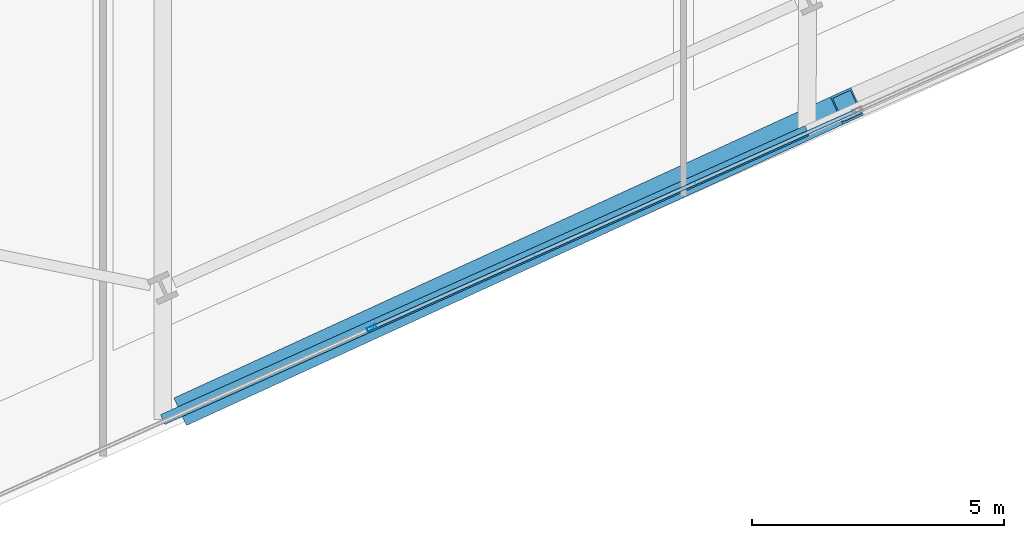
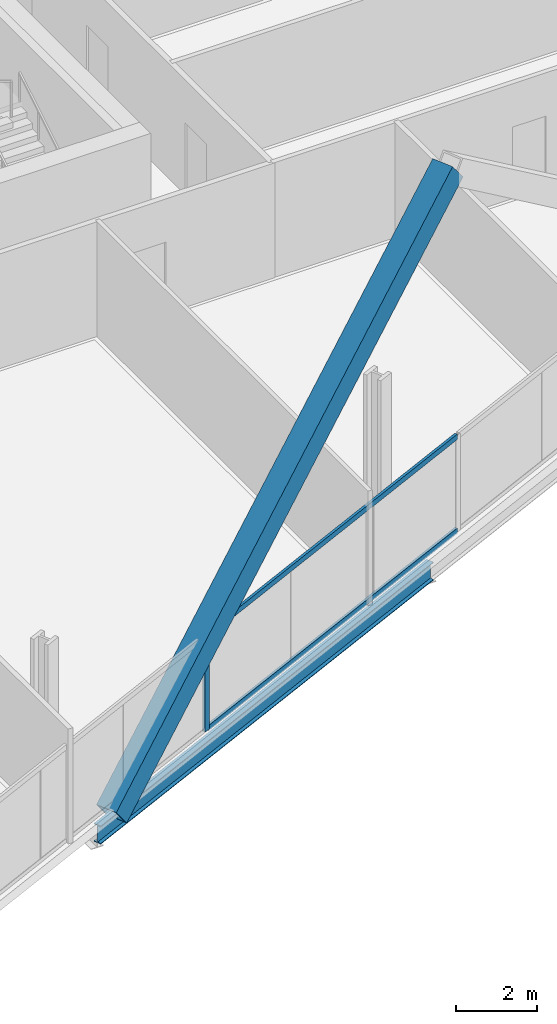
# One storey, part 7 of 38: 4 members, 1 beam, 1 element without a shape of its own.
"""IFC4 building model written with IfcOpenShell, lengths in metres."""

from ifc_helpers import new_model, si_unit, direction, frame, origin, origin_2d, place, context, subcontext, project, spatial, hollow_rectangle, i_section, extrude, material, material_profile, profile_set, type_object, element, aggregate, save


model = new_model("IFC4")

# Units and contexts
model_context = context("Model", 3, precision=1e-05, world=origin(), true_north=direction((0.0, 1.0)))
body_context = subcontext(model_context, "Body", "Model", "MODEL_VIEW")
ifc_project = project(units=[si_unit("LENGTHUNIT", "METRE"), si_unit("AREAUNIT", "SQUARE_METRE"), si_unit("VOLUMEUNIT", "CUBIC_METRE"), si_unit("PLANEANGLEUNIT", "RADIAN"), si_unit("MASSUNIT", "GRAM", prefix="KILO")], contexts=[model_context])

# Site, building, storey
site_placement = place(None, origin())
site = spatial("IfcSite", under=ifc_project, at=site_placement, CompositionType="ELEMENT")
building_placement = place(site_placement, origin())
building = spatial("IfcBuilding", under=site, at=building_placement, Name="Haldenkirk Collegiate Tower", CompositionType="ELEMENT")
storey_placement = place(building_placement, frame((0.0, 0.0, 109.199951171875)))
storey = spatial("IfcBuildingStorey", under=building, at=storey_placement, Name="L26", CompositionType="ELEMENT", Elevation=109.199951171875)

# Beam
ifc_material_1 = material(Name="Steel ASTM A992 Grade 50", Category="steel")
ifc_material_profile_1 = material_profile(ifc_material_1, i_section(OverallWidth=0.2119140625, OverallDepth=0.5439453125, WebThickness=0.01318359375, FlangeThickness=0.021240234375, at=origin_2d()), Name="W21X83")
ifc_profile_set_1 = profile_set([ifc_material_profile_1], Name="Steel ASTM A992 Grade 50")
beam_type = type_object("IfcBeamType", Name="BM-SPANDREL-W21X83", PredefinedType="SPANDREL", material=ifc_profile_set_1)
beam_placement = place(storey_placement, frame((32.181396484375, -2.321044921875, -0.572021484375), z_axis=(0.91247721196, 0.409127532261, 0.0), x_axis=(-0.409127532261, 0.91247721196, 0.0)))
element("IfcBeam", 1, at=beam_placement, inside=storey, type_object=beam_type, Name="L26 outer facade edge beam 1A", PredefinedType="SPANDREL", context=body_context, shape_type="SweptSolid", body=[
    extrude(i_section(OverallWidth=0.2119140625, OverallDepth=0.5439453125, WebThickness=0.01318359375, FlangeThickness=0.021240234375, at=origin_2d()), origin(), (0.0, 0.0, 1.0), 13.99462890625),
])

# Curtain wall, members
ifc_material_2 = material(Name="Anodised architectural bronze aluminium", Category="aluminium")
curtain_wall_type = type_object("IfcCurtainWallType", Name="CW-SYS2-CONCAVE", PredefinedType="USERDEFINED", material=ifc_material_2)
curtain_wall_placement = place(storey_placement, origin())
curtain_wall = element("IfcCurtainWall", 2, at=curtain_wall_placement, inside=storey, type_object=curtain_wall_type, Name="L26 South concave recessed bronze-anodised curtain wall", ObjectType="UNITISED CURTAIN WALL", PredefinedType="USERDEFINED")
ifc_material_profile_2 = material_profile(ifc_material_2, hollow_rectangle(XDim=0.074951171875, YDim=0.18994140625, WallThickness=0.0048828125, at=origin_2d()), Name="CW-MUL-02")
ifc_profile_set_2 = profile_set([ifc_material_profile_2], Name="Anodised architectural bronze aluminium")
member_type_1 = type_object("IfcMemberType", Name="CW-MUL-02", PredefinedType="MULLION", material=ifc_profile_set_2)
member_1_placement = place(storey_placement, frame((36.3232421875, -0.5078125, 0.0), z_axis=(0.0, 0.0, 1.0), x_axis=(0.409127344707, -0.912477296053, 0.0)))
member_1 = element("IfcMember", 3, at=member_1_placement, type_object=member_type_1, Name="CW-02 mullion 4", PredefinedType="MULLION", context=body_context, shape_type="SweptSolid", body=[
    extrude(hollow_rectangle(XDim=0.074951171875, YDim=0.18994140625, WallThickness=0.0048828125, at=origin_2d()), origin(), (0.0, 0.0, 1.0), 2.901123046875),
])
ifc_material_profile_3 = material_profile(ifc_material_2, hollow_rectangle(XDim=0.074951171875, YDim=0.159912109375, WallThickness=0.0048828125, at=origin_2d()), Name="CW-TRN-02")
ifc_profile_set_3 = profile_set([ifc_material_profile_3], Name="Anodised architectural bronze aluminium")
member_type_2 = type_object("IfcMemberType", Name="CW-TRN-02", PredefinedType="USERDEFINED", material=ifc_profile_set_3)
member_2_placement = place(storey_placement, frame((45.915771484375, 3.793212890625, 0.03759765625), z_axis=(-0.912474522038, -0.409133531542, 0.0), x_axis=(0.409133531542, -0.912474522038, 0.0)))
member_2 = element("IfcMember", 4, at=member_2_placement, type_object=member_type_2, Name="CW-02 transom 3.1", ObjectType="TRANSOM", PredefinedType="USERDEFINED", context=body_context, shape_type="SweptSolid", body=[
    extrude(hollow_rectangle(XDim=0.074951171875, YDim=0.159912109375, WallThickness=0.0048828125, at=origin_2d()), origin(), (0.0, 0.0, 1.0), 10.474853515625),
])
member_3_placement = place(storey_placement, frame((45.915771484375, 3.793212890625, 2.863525390625), z_axis=(-0.912474522038, -0.409133531542, 0.0), x_axis=(0.409133531542, -0.912474522038, 0.0)))
member_3 = element("IfcMember", 5, at=member_3_placement, type_object=member_type_2, Name="CW-02 transom 3.2", ObjectType="TRANSOM", PredefinedType="USERDEFINED", context=body_context, shape_type="SweptSolid", body=[
    extrude(hollow_rectangle(XDim=0.074951171875, YDim=0.159912109375, WallThickness=0.0048828125, at=origin_2d()), origin(), (0.0, 0.0, 1.0), 10.474853515625),
])
aggregate(curtain_wall, [member_1, member_2, member_3])

# Member
ifc_material_3 = material(Name="Steel ASTM A572 Grade 50", Category="steel")
ifc_material_profile_4 = material_profile(ifc_material_3, hollow_rectangle(XDim=0.60009765625, YDim=0.719970703125, WallThickness=0.044921875, at=origin_2d()), Name="BOX720X600X45")
ifc_profile_set_4 = profile_set([ifc_material_profile_4], Name="Steel ASTM A572 Grade 50")
member_type_3 = type_object("IfcMemberType", Name="MBR-MEGABRACE-BOX720X600X45", PredefinedType="BRACE", material=ifc_profile_set_4)
member_4_placement = place(storey_placement, frame((32.72900390625, -2.075439453125, -0.31005859375), z_axis=(0.714658709289, 0.327753617055, 0.61793243623), x_axis=(-0.416866712855, 0.908967625228, 0.0)))
element("IfcMember", 6, at=member_4_placement, inside=storey, type_object=member_type_3, Name="Perimeter Mega Brace Z2 L26-L28 SL", PredefinedType="BRACE", context=body_context, shape_type="SweptSolid", body=[
    extrude(hollow_rectangle(XDim=0.60009765625, YDim=0.719970703125, WallThickness=0.044921875, at=origin_2d()), origin(), (0.0, 0.0, 1.0), 18.205810546875),
])

save(model, "model.ifc")
